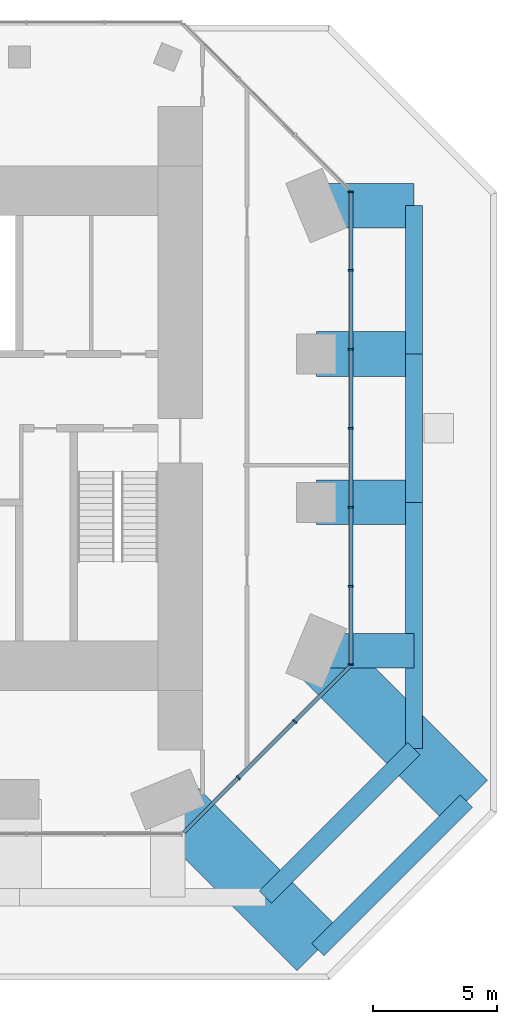
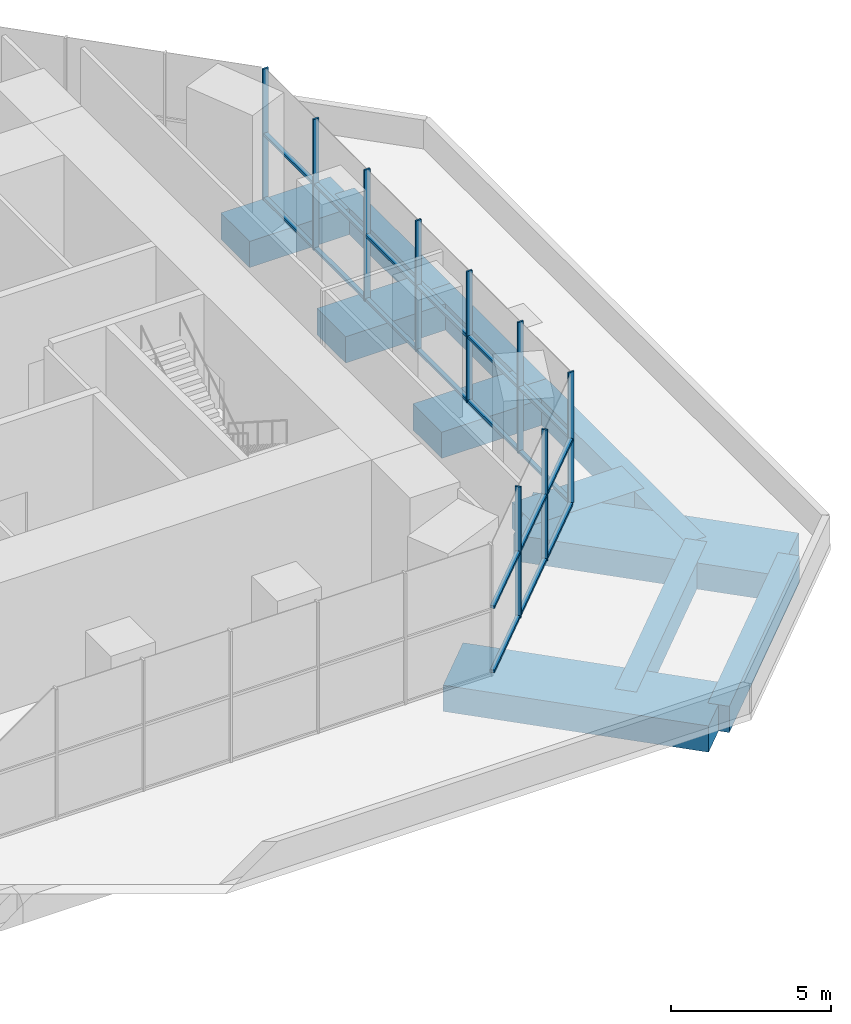
# One storey, part 4 of 9: 27 members, 11 beams, 2 elements without a shape of their own.
"""IFC4 building model written with IfcOpenShell, lengths in metres."""

from ifc_helpers import new_model, si_unit, direction, frame, origin, origin_2d, place, context, subcontext, project, spatial, rectangle, extrude, material, layer, layer_set, material_profile, profile_set, type_object, element, aggregate, save


model = new_model("IFC4")

# Units and contexts
model_context = context("Model", 3, precision=1e-05, world=origin(), true_north=direction((0.0, 1.0)))
body_context = subcontext(model_context, "Body", "Model", "MODEL_VIEW")
ifc_project = project(units=[si_unit("LENGTHUNIT", "METRE"), si_unit("AREAUNIT", "SQUARE_METRE"), si_unit("VOLUMEUNIT", "CUBIC_METRE"), si_unit("PLANEANGLEUNIT", "RADIAN"), si_unit("MASSUNIT", "GRAM", prefix="KILO")], contexts=[model_context])

# Site, building, storey
site_placement = place(None, origin())
site = spatial("IfcSite", under=ifc_project, at=site_placement, CompositionType="ELEMENT")
building_placement = place(site_placement, origin())
building = spatial("IfcBuilding", under=site, at=building_placement, Name="Highveld Stack Headquarters", CompositionType="ELEMENT")
storey_placement = place(building_placement, frame((0.0, 0.0, 295.699951171875)))
storey = spatial("IfcBuildingStorey", under=building, at=storey_placement, Name="L73", CompositionType="ELEMENT", Elevation=295.699951171875)

# Beams
ifc_material_1 = material(Name="Concrete C60/75", Category="concrete")
ifc_material_profile_1 = material_profile(ifc_material_1, rectangle(XDim=1.39990234375, YDim=1.0, at=origin_2d()), Name="RC 1400x1000")
ifc_profile_set_1 = profile_set([ifc_material_profile_1], Name="Concrete C60/75")
beam_type_1 = type_object("IfcBeamType", Name="CANTILEVER RIB RC 1400x1000", PredefinedType="USERDEFINED", material=ifc_profile_set_1)
beam_1_placement = place(storey_placement, frame((24.0, -6.0, -0.75), z_axis=(1.0, 0.0, 0.0), x_axis=(0.0, 1.0, 0.0)))
element("IfcBeam", 1, at=beam_1_placement, inside=storey, type_object=beam_type_1, Name="Cantilever rib 10/D L73", ObjectType="CANTILEVER RIB", PredefinedType="USERDEFINED", context=body_context, shape_type="SweptSolid", body=[
    extrude(rectangle(XDim=1.39990234375, YDim=1.0, at=origin_2d()), origin(), (0.0, 0.0, 1.0), 3.949951171875),
])
ifc_material_2 = material(Name="Concrete C60/75", Category="concrete")
ifc_material_profile_2 = material_profile(ifc_material_2, rectangle(XDim=1.800048828125, YDim=1.0, at=origin_2d()), Name="RC 1800x1000")
ifc_profile_set_2 = profile_set([ifc_material_profile_2], Name="Concrete C60/75")
beam_type_2 = type_object("IfcBeamType", Name="CANTILEVER RIB RC 1800x1000", PredefinedType="USERDEFINED", material=ifc_profile_set_2)
for number, where, z_axis, x_axis, name in (
    (2, (24.0, 0.0, -0.75), (1.0, 0.0, 0.0), (0.0, 1.0, 0.0), "Cantilever rib 10/E L73"),
    (3, (24.0, 6.0, -0.75), (1.0, 0.0, 0.0), (0.0, 1.0, 0.0), "Cantilever rib 10/F L73"),
    (4, (24.0, 12.0, -0.75), (1.0, 0.0, 0.0), (0.0, 1.0, 0.0), "Cantilever rib 10/G L73"),
):
    element("IfcBeam", number, at=place(storey_placement, frame(where, z_axis=z_axis, x_axis=x_axis)), inside=storey, type_object=beam_type_2, Name=name, ObjectType="CANTILEVER RIB", PredefinedType="USERDEFINED", context=body_context, shape_type="SweptSolid", body=[
        extrude(rectangle(XDim=1.800048828125, YDim=1.0, at=origin_2d()), origin(), (0.0, 0.0, 1.0), 3.949951171875),
    ])
ifc_material_3 = material(Name="Concrete C60/75", Category="concrete")
ifc_material_profile_3 = material_profile(ifc_material_3, rectangle(XDim=2.39990234375, YDim=1.0, at=origin_2d()), Name="RC 2400x1000")
ifc_profile_set_3 = profile_set([ifc_material_profile_3], Name="Concrete C60/75")
beam_type_3 = type_object("IfcBeamType", Name="CANTILEVER RIB RC 2400x1000", PredefinedType="USERDEFINED", material=ifc_profile_set_3)
for number, where, z_axis, x_axis, name in (
    (5, (18.0, -12.0, -0.75), (0.707106781187, -0.707106781187, 0.0), (0.707106781187, 0.707106781187, 0.0), "Cantilever rib 9/C L73"),
    (6, (24.0, -6.0, -0.75), (0.707106781187, -0.707106781187, 0.0), (0.707106781187, 0.707106781187, 0.0), "Cantilever rib 10/D L73"),
):
    element("IfcBeam", number, at=place(storey_placement, frame(where, z_axis=z_axis, x_axis=x_axis)), inside=storey, type_object=beam_type_3, Name=name, ObjectType="CANTILEVER RIB", PredefinedType="USERDEFINED", context=body_context, shape_type="SweptSolid", body=[
        extrude(rectangle(XDim=2.39990234375, YDim=1.0, at=origin_2d()), origin(), (0.0, 0.0, 1.0), 8.585693359375),
    ])

# Curtain wall, members
ifc_material_4 = material(Name="Aluminium bronze anodised", Category="aluminium")
ifc_layer = layer(ifc_material_4, 0.199951171875)
ifc_layer_set = layer_set([ifc_layer], Name="Aluminium bronze anodised")
curtain_wall_type = type_object("IfcCurtainWallType", Name="CW4 LANTERN CURTAIN WALL", PredefinedType="NOTDEFINED", material=ifc_layer_set)
curtain_wall_1_placement = place(storey_placement, origin())
curtain_wall_1 = element("IfcCurtainWall", 7, at=curtain_wall_1_placement, inside=storey, type_object=curtain_wall_type, Name="Curtain wall CW4 L73 SE", PredefinedType="NOTDEFINED")
ifc_material_5 = material(Name="Aluminium bronze anodised", Category="aluminium")
ifc_material_profile_4 = material_profile(ifc_material_5, rectangle(XDim=0.199951171875, YDim=0.06494140625, at=origin_2d()), Name="CW4 MULLION 65x200")
ifc_profile_set_4 = profile_set([ifc_material_profile_4], Name="Aluminium bronze anodised")
member_type_1 = type_object("IfcMemberType", Name="CW4 MULLION 65x200", PredefinedType="MULLION", material=ifc_profile_set_4)
member_1_placement = place(storey_placement, frame((20.853271484375, -11.126708984375, 0.0), z_axis=(0.0, 0.0, 1.0), x_axis=(-0.707106781187, 0.707106781187, 0.0)))
member_1 = element("IfcMember", 8, at=member_1_placement, type_object=member_type_1, Name="CW4 mullion L73 1", PredefinedType="MULLION", context=body_context, shape_type="SweptSolid", body=[
    extrude(rectangle(XDim=0.199951171875, YDim=0.06494140625, at=origin_2d()), origin(), (0.0, 0.0, 1.0), 5.0),
])
member_2_placement = place(storey_placement, frame((23.126708984375, -8.853271484375, 0.0), z_axis=(0.0, 0.0, 1.0), x_axis=(-0.707106781187, 0.707106781187, 0.0)))
member_2 = element("IfcMember", 9, at=member_2_placement, type_object=member_type_1, Name="CW4 mullion L73 2", PredefinedType="MULLION", context=body_context, shape_type="SweptSolid", body=[
    extrude(rectangle(XDim=0.199951171875, YDim=0.06494140625, at=origin_2d()), origin(), (0.0, 0.0, 1.0), 5.0),
])

curtain_wall_2_placement = place(storey_placement, origin())
curtain_wall_2 = element("IfcCurtainWall", 10, at=curtain_wall_2_placement, inside=storey, type_object=curtain_wall_type, Name="Curtain wall CW4 L73 E", PredefinedType="NOTDEFINED")
member_3_placement = place(storey_placement, frame((25.39990234375, -6.54736328125, 0.0), z_axis=(0.0, 0.0, 1.0), x_axis=(-1.0, 0.0, 0.0)))
member_3 = element("IfcMember", 11, at=member_3_placement, type_object=member_type_1, Name="CW4 mullion L73 1", PredefinedType="MULLION", context=body_context, shape_type="SweptSolid", body=[
    extrude(rectangle(XDim=0.199951171875, YDim=0.06494140625, at=origin_2d()), origin(), (0.0, 0.0, 1.0), 5.0),
])
member_4_placement = place(storey_placement, frame((25.39990234375, -3.38671875, 0.0), z_axis=(0.0, 0.0, 1.0), x_axis=(-1.0, 0.0, 0.0)))
member_4 = element("IfcMember", 12, at=member_4_placement, type_object=member_type_1, Name="CW4 mullion L73 2", PredefinedType="MULLION", context=body_context, shape_type="SweptSolid", body=[
    extrude(rectangle(XDim=0.199951171875, YDim=0.06494140625, at=origin_2d()), origin(), (0.0, 0.0, 1.0), 5.0),
])
member_5_placement = place(storey_placement, frame((25.39990234375, -0.193359375, 0.0), z_axis=(0.0, 0.0, 1.0), x_axis=(-1.0, 0.0, 0.0)))
member_5 = element("IfcMember", 13, at=member_5_placement, type_object=member_type_1, Name="CW4 mullion L73 3", PredefinedType="MULLION", context=body_context, shape_type="SweptSolid", body=[
    extrude(rectangle(XDim=0.199951171875, YDim=0.06494140625, at=origin_2d()), origin(), (0.0, 0.0, 1.0), 5.0),
])
member_6_placement = place(storey_placement, frame((25.39990234375, 3.0, 0.0), z_axis=(0.0, 0.0, 1.0), x_axis=(-1.0, 0.0, 0.0)))
member_6 = element("IfcMember", 14, at=member_6_placement, type_object=member_type_1, Name="CW4 mullion L73 4", PredefinedType="MULLION", context=body_context, shape_type="SweptSolid", body=[
    extrude(rectangle(XDim=0.199951171875, YDim=0.06494140625, at=origin_2d()), origin(), (0.0, 0.0, 1.0), 5.0),
])
member_7_placement = place(storey_placement, frame((25.39990234375, 6.193359375, 0.0), z_axis=(0.0, 0.0, 1.0), x_axis=(-1.0, 0.0, 0.0)))
member_7 = element("IfcMember", 15, at=member_7_placement, type_object=member_type_1, Name="CW4 mullion L73 5", PredefinedType="MULLION", context=body_context, shape_type="SweptSolid", body=[
    extrude(rectangle(XDim=0.199951171875, YDim=0.06494140625, at=origin_2d()), origin(), (0.0, 0.0, 1.0), 5.0),
])
member_8_placement = place(storey_placement, frame((25.39990234375, 9.38671875, 0.0), z_axis=(0.0, 0.0, 1.0), x_axis=(-1.0, 0.0, 0.0)))
member_8 = element("IfcMember", 16, at=member_8_placement, type_object=member_type_1, Name="CW4 mullion L73 6", PredefinedType="MULLION", context=body_context, shape_type="SweptSolid", body=[
    extrude(rectangle(XDim=0.199951171875, YDim=0.06494140625, at=origin_2d()), origin(), (0.0, 0.0, 1.0), 5.0),
])
member_9_placement = place(storey_placement, frame((25.39990234375, 12.54736328125, 0.0), z_axis=(0.0, 0.0, 1.0), x_axis=(-1.0, 0.0, 0.0)))
member_9 = element("IfcMember", 17, at=member_9_placement, type_object=member_type_1, Name="CW4 mullion L73 7", PredefinedType="MULLION", context=body_context, shape_type="SweptSolid", body=[
    extrude(rectangle(XDim=0.199951171875, YDim=0.06494140625, at=origin_2d()), origin(), (0.0, 0.0, 1.0), 5.0),
])

# Member
ifc_material_6 = material(Name="Aluminium bronze anodised", Category="aluminium")
ifc_material_profile_5 = material_profile(ifc_material_6, rectangle(XDim=0.14990234375, YDim=0.10009765625, at=origin_2d()), Name="CW4 TRANSOM 150x100")
ifc_profile_set_5 = profile_set([ifc_material_profile_5], Name="Aluminium bronze anodised")
member_type_2 = type_object("IfcMemberType", Name="CW4 STACK TRANSOM 150x100", PredefinedType="USERDEFINED", material=ifc_profile_set_5)
member_10_placement = place(storey_placement, frame((18.650634765625, -13.329345703125, 0.050048828125), z_axis=(0.707106781187, 0.707106781187, 0.0), x_axis=(-0.707106781187, 0.707106781187, 0.0)))
member_10 = element("IfcMember", 18, at=member_10_placement, type_object=member_type_2, Name="CW4 transom L73 1.1", ObjectType="TRANSOM", PredefinedType="USERDEFINED", context=body_context, shape_type="SweptSolid", body=[
    extrude(rectangle(XDim=0.14990234375, YDim=0.10009765625, at=origin_2d()), origin(), (0.0, 0.0, 1.0), 3.08251953125),
])

member_11_placement = place(storey_placement, frame((18.650634765625, -13.329345703125, 2.5), z_axis=(0.707106781187, 0.707106781187, 0.0), x_axis=(-0.707106781187, 0.707106781187, 0.0)))
member_11 = element("IfcMember", 19, at=member_11_placement, type_object=member_type_2, Name="CW4 transom L73 1.2", ObjectType="TRANSOM", PredefinedType="USERDEFINED", context=body_context, shape_type="SweptSolid", body=[
    extrude(rectangle(XDim=0.14990234375, YDim=0.10009765625, at=origin_2d()), origin(), (0.0, 0.0, 1.0), 3.08251953125),
])

member_12_placement = place(storey_placement, frame((20.876220703125, -11.103759765625, 0.050048828125), z_axis=(0.707106781187, 0.707106781187, 0.0), x_axis=(-0.707106781187, 0.707106781187, 0.0)))
member_12 = element("IfcMember", 20, at=member_12_placement, type_object=member_type_2, Name="CW4 transom L73 2.1", ObjectType="TRANSOM", PredefinedType="USERDEFINED", context=body_context, shape_type="SweptSolid", body=[
    extrude(rectangle(XDim=0.14990234375, YDim=0.10009765625, at=origin_2d()), origin(), (0.0, 0.0, 1.0), 3.150146484375),
])

member_13_placement = place(storey_placement, frame((20.876220703125, -11.103759765625, 2.5), z_axis=(0.707106781187, 0.707106781187, 0.0), x_axis=(-0.707106781187, 0.707106781187, 0.0)))
member_13 = element("IfcMember", 21, at=member_13_placement, type_object=member_type_2, Name="CW4 transom L73 2.2", ObjectType="TRANSOM", PredefinedType="USERDEFINED", context=body_context, shape_type="SweptSolid", body=[
    extrude(rectangle(XDim=0.14990234375, YDim=0.10009765625, at=origin_2d()), origin(), (0.0, 0.0, 1.0), 3.150146484375),
])

member_14_placement = place(storey_placement, frame((23.149658203125, -8.830322265625, 0.050048828125), z_axis=(0.707106781187, 0.707106781187, 0.0), x_axis=(-0.707106781187, 0.707106781187, 0.0)))
member_14 = element("IfcMember", 22, at=member_14_placement, type_object=member_type_2, Name="CW4 transom L73 3.1", ObjectType="TRANSOM", PredefinedType="USERDEFINED", context=body_context, shape_type="SweptSolid", body=[
    extrude(rectangle(XDim=0.14990234375, YDim=0.10009765625, at=origin_2d()), origin(), (0.0, 0.0, 1.0), 3.08251953125),
])

member_15_placement = place(storey_placement, frame((23.149658203125, -8.830322265625, 2.5), z_axis=(0.707106781187, 0.707106781187, 0.0), x_axis=(-0.707106781187, 0.707106781187, 0.0)))
member_15 = element("IfcMember", 23, at=member_15_placement, type_object=member_type_2, Name="CW4 transom L73 3.2", ObjectType="TRANSOM", PredefinedType="USERDEFINED", context=body_context, shape_type="SweptSolid", body=[
    extrude(rectangle(XDim=0.14990234375, YDim=0.10009765625, at=origin_2d()), origin(), (0.0, 0.0, 1.0), 3.08251953125),
])

aggregate(curtain_wall_1, [member_1, member_2, member_10, member_11, member_12, member_13, member_14, member_15])

member_16_placement = place(storey_placement, frame((25.39990234375, -6.514892578125, 0.050048828125), z_axis=(0.0, 1.0, 0.0), x_axis=(-1.0, 0.0, 0.0)))
member_16 = element("IfcMember", 24, at=member_16_placement, type_object=member_type_2, Name="CW4 transom L73 1.1", ObjectType="TRANSOM", PredefinedType="USERDEFINED", context=body_context, shape_type="SweptSolid", body=[
    extrude(rectangle(XDim=0.14990234375, YDim=0.10009765625, at=origin_2d()), origin(), (0.0, 0.0, 1.0), 3.095703125),
])

member_17_placement = place(storey_placement, frame((25.39990234375, -6.514892578125, 2.5), z_axis=(0.0, 1.0, 0.0), x_axis=(-1.0, 0.0, 0.0)))
member_17 = element("IfcMember", 25, at=member_17_placement, type_object=member_type_2, Name="CW4 transom L73 1.2", ObjectType="TRANSOM", PredefinedType="USERDEFINED", context=body_context, shape_type="SweptSolid", body=[
    extrude(rectangle(XDim=0.14990234375, YDim=0.10009765625, at=origin_2d()), origin(), (0.0, 0.0, 1.0), 3.095703125),
])

member_18_placement = place(storey_placement, frame((25.39990234375, -3.35400390625, 0.050048828125), z_axis=(0.0, 1.0, 0.0), x_axis=(-1.0, 0.0, 0.0)))
member_18 = element("IfcMember", 26, at=member_18_placement, type_object=member_type_2, Name="CW4 transom L73 2.1", ObjectType="TRANSOM", PredefinedType="USERDEFINED", context=body_context, shape_type="SweptSolid", body=[
    extrude(rectangle(XDim=0.14990234375, YDim=0.10009765625, at=origin_2d()), origin(), (0.0, 0.0, 1.0), 3.128173828125),
])

member_19_placement = place(storey_placement, frame((25.39990234375, -3.35400390625, 2.5), z_axis=(0.0, 1.0, 0.0), x_axis=(-1.0, 0.0, 0.0)))
member_19 = element("IfcMember", 27, at=member_19_placement, type_object=member_type_2, Name="CW4 transom L73 2.2", ObjectType="TRANSOM", PredefinedType="USERDEFINED", context=body_context, shape_type="SweptSolid", body=[
    extrude(rectangle(XDim=0.14990234375, YDim=0.10009765625, at=origin_2d()), origin(), (0.0, 0.0, 1.0), 3.128173828125),
])

member_20_placement = place(storey_placement, frame((25.39990234375, -0.160888671875, 0.050048828125), z_axis=(0.0, 1.0, 0.0), x_axis=(-1.0, 0.0, 0.0)))
member_20 = element("IfcMember", 28, at=member_20_placement, type_object=member_type_2, Name="CW4 transom L73 3.1", ObjectType="TRANSOM", PredefinedType="USERDEFINED", context=body_context, shape_type="SweptSolid", body=[
    extrude(rectangle(XDim=0.14990234375, YDim=0.10009765625, at=origin_2d()), origin(), (0.0, 0.0, 1.0), 3.12841796875),
])

member_21_placement = place(storey_placement, frame((25.39990234375, -0.160888671875, 2.5), z_axis=(0.0, 1.0, 0.0), x_axis=(-1.0, 0.0, 0.0)))
member_21 = element("IfcMember", 29, at=member_21_placement, type_object=member_type_2, Name="CW4 transom L73 3.2", ObjectType="TRANSOM", PredefinedType="USERDEFINED", context=body_context, shape_type="SweptSolid", body=[
    extrude(rectangle(XDim=0.14990234375, YDim=0.10009765625, at=origin_2d()), origin(), (0.0, 0.0, 1.0), 3.12841796875),
])

member_22_placement = place(storey_placement, frame((25.39990234375, 3.032470703125, 0.050048828125), z_axis=(0.0, 1.0, 0.0), x_axis=(-1.0, 0.0, 0.0)))
member_22 = element("IfcMember", 30, at=member_22_placement, type_object=member_type_2, Name="CW4 transom L73 4.1", ObjectType="TRANSOM", PredefinedType="USERDEFINED", context=body_context, shape_type="SweptSolid", body=[
    extrude(rectangle(XDim=0.14990234375, YDim=0.10009765625, at=origin_2d()), origin(), (0.0, 0.0, 1.0), 3.12841796875),
])

member_23_placement = place(storey_placement, frame((25.39990234375, 3.032470703125, 2.5), z_axis=(0.0, 1.0, 0.0), x_axis=(-1.0, 0.0, 0.0)))
member_23 = element("IfcMember", 31, at=member_23_placement, type_object=member_type_2, Name="CW4 transom L73 4.2", ObjectType="TRANSOM", PredefinedType="USERDEFINED", context=body_context, shape_type="SweptSolid", body=[
    extrude(rectangle(XDim=0.14990234375, YDim=0.10009765625, at=origin_2d()), origin(), (0.0, 0.0, 1.0), 3.12841796875),
])

member_24_placement = place(storey_placement, frame((25.39990234375, 6.225830078125, 0.050048828125), z_axis=(0.0, 1.0, 0.0), x_axis=(-1.0, 0.0, 0.0)))
member_24 = element("IfcMember", 32, at=member_24_placement, type_object=member_type_2, Name="CW4 transom L73 5.1", ObjectType="TRANSOM", PredefinedType="USERDEFINED", context=body_context, shape_type="SweptSolid", body=[
    extrude(rectangle(XDim=0.14990234375, YDim=0.10009765625, at=origin_2d()), origin(), (0.0, 0.0, 1.0), 3.128173828125),
])

member_25_placement = place(storey_placement, frame((25.39990234375, 6.225830078125, 2.5), z_axis=(0.0, 1.0, 0.0), x_axis=(-1.0, 0.0, 0.0)))
member_25 = element("IfcMember", 33, at=member_25_placement, type_object=member_type_2, Name="CW4 transom L73 5.2", ObjectType="TRANSOM", PredefinedType="USERDEFINED", context=body_context, shape_type="SweptSolid", body=[
    extrude(rectangle(XDim=0.14990234375, YDim=0.10009765625, at=origin_2d()), origin(), (0.0, 0.0, 1.0), 3.128173828125),
])

member_26_placement = place(storey_placement, frame((25.39990234375, 9.419189453125, 0.050048828125), z_axis=(0.0, 1.0, 0.0), x_axis=(-1.0, 0.0, 0.0)))
member_26 = element("IfcMember", 34, at=member_26_placement, type_object=member_type_2, Name="CW4 transom L73 6.1", ObjectType="TRANSOM", PredefinedType="USERDEFINED", context=body_context, shape_type="SweptSolid", body=[
    extrude(rectangle(XDim=0.14990234375, YDim=0.10009765625, at=origin_2d()), origin(), (0.0, 0.0, 1.0), 3.095703125),
])

member_27_placement = place(storey_placement, frame((25.39990234375, 9.419189453125, 2.5), z_axis=(0.0, 1.0, 0.0), x_axis=(-1.0, 0.0, 0.0)))
member_27 = element("IfcMember", 35, at=member_27_placement, type_object=member_type_2, Name="CW4 transom L73 6.2", ObjectType="TRANSOM", PredefinedType="USERDEFINED", context=body_context, shape_type="SweptSolid", body=[
    extrude(rectangle(XDim=0.14990234375, YDim=0.10009765625, at=origin_2d()), origin(), (0.0, 0.0, 1.0), 3.095703125),
])

aggregate(curtain_wall_2, [member_3, member_4, member_5, member_6, member_7, member_8, member_9, member_16, member_17, member_18, member_19, member_20, member_21, member_22, member_23, member_24, member_25, member_26, member_27])

# Beams
ifc_material_7 = material(Name="Concrete C60/75", Category="concrete")
ifc_material_profile_6 = material_profile(ifc_material_7, rectangle(XDim=0.699951171875, YDim=1.0, at=origin_2d()), Name="RC 700x1000")
ifc_profile_set_6 = profile_set([ifc_material_profile_6], Name="Concrete C60/75")
beam_type_4 = type_object("IfcBeamType", Name="RIB TIP BEAM RC 700x1000", PredefinedType="SPANDREL", material=ifc_profile_set_6)
beam_2_placement = place(storey_placement, frame((27.949951171875, -9.949951171875, -0.75), z_axis=(0.0, 1.0, 0.0), x_axis=(-1.0, 0.0, 0.0)))
element("IfcBeam", 36, at=beam_2_placement, inside=storey, type_object=beam_type_4, Name="Rib tip beam 10/D to 10/E L73", PredefinedType="SPANDREL", context=body_context, shape_type="SweptSolid", body=[
    extrude(rectangle(XDim=0.699951171875, YDim=1.0, at=origin_2d()), origin(), (0.0, 0.0, 1.0), 9.949951171875),
])
for number, where, z_axis, x_axis, name in (
    (37, (27.949951171875, 0.0, -0.75), (0.0, 1.0, 0.0), (-1.0, 0.0, 0.0), "Rib tip beam 10/E to 10/F L73"),
    (38, (27.949951171875, 6.0, -0.75), (0.0, 1.0, 0.0), (-1.0, 0.0, 0.0), "Rib tip beam 10/F to 10/G L73"),
):
    element("IfcBeam", number, at=place(storey_placement, frame(where, z_axis=z_axis, x_axis=x_axis)), inside=storey, type_object=beam_type_4, Name=name, PredefinedType="SPANDREL", context=body_context, shape_type="SweptSolid", body=[
        extrude(rectangle(XDim=0.699951171875, YDim=1.0, at=origin_2d()), origin(), (0.0, 0.0, 1.0), 6.0),
    ])
for number, where, z_axis, x_axis, name in (
    (39, (21.949951171875, -15.949951171875, -0.75), (0.707106781187, 0.707106781187, 0.0), (-0.707106781187, 0.707106781187, 0.0), "Rib tip beam 9/C to 10/D chamfer L73"),
    (40, (24.071044921875, -18.071044921875, -0.75), (0.707106781187, 0.707106781187, 0.0), (-0.707106781187, 0.707106781187, 0.0), "Rib tip beam 9/C to 10/D chamfer edge L73"),
):
    element("IfcBeam", number, at=place(storey_placement, frame(where, z_axis=z_axis, x_axis=x_axis)), inside=storey, type_object=beam_type_4, Name=name, PredefinedType="SPANDREL", context=body_context, shape_type="SweptSolid", body=[
        extrude(rectangle(XDim=0.699951171875, YDim=1.0, at=origin_2d()), origin(), (0.0, 0.0, 1.0), 8.4853515625),
    ])

save(model, "model.ifc")
